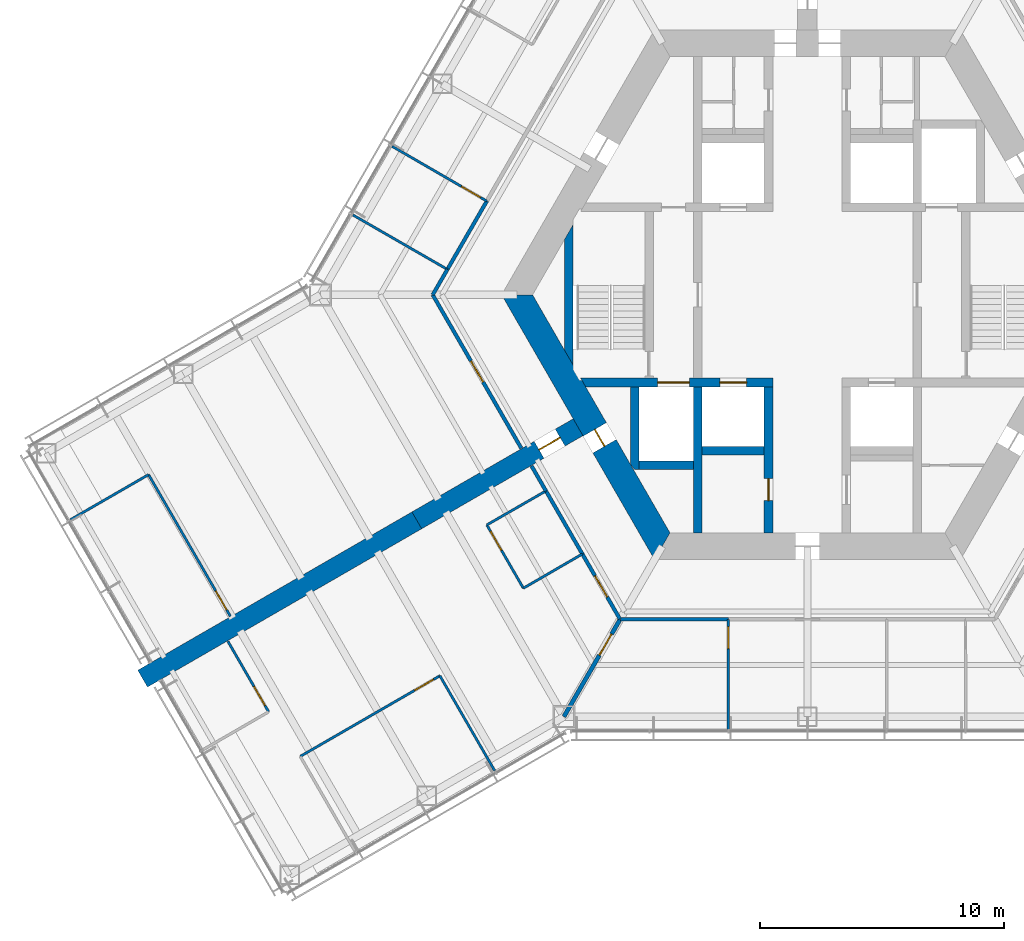
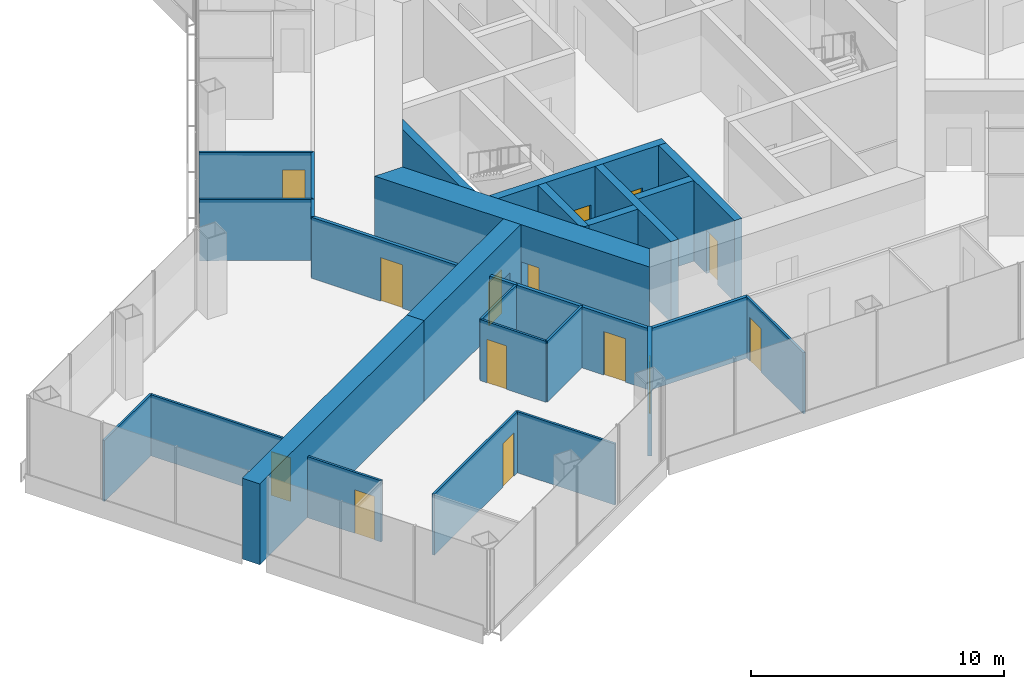
# One storey, part 12 of 19: 29 walls, 14 doors, 14 openings.
"""IFC4 building model written with IfcOpenShell, lengths in metres."""

from ifc_helpers import new_model, si_unit, direction, frame, frame_2d, origin, place, context, subcontext, project, spatial, polyline, rectangle, outline, extrude, material, layer, layer_set, type_object, element, fill, save


model = new_model("IFC4")

# Units and contexts
model_context = context("Model", 3, precision=1e-05, world=origin(), true_north=direction((0.0, 1.0)))
body_context = subcontext(model_context, "Body", "Model", "MODEL_VIEW")
ifc_project = project(units=[si_unit("LENGTHUNIT", "METRE"), si_unit("AREAUNIT", "SQUARE_METRE"), si_unit("VOLUMEUNIT", "CUBIC_METRE"), si_unit("PLANEANGLEUNIT", "RADIAN"), si_unit("MASSUNIT", "GRAM", prefix="KILO")], contexts=[model_context])

# Site, building, storey
site_placement = place(None, origin())
site = spatial("IfcSite", under=ifc_project, at=site_placement, CompositionType="ELEMENT")
building_placement = place(site_placement, origin())
building = spatial("IfcBuilding", under=site, at=building_placement, Name="Kasaneha Research Tower", CompositionType="ELEMENT")
storey_placement = place(building_placement, frame((0.0, 0.0, 92.39990234375)))
storey = spatial("IfcBuildingStorey", under=building, at=storey_placement, Name="L23", CompositionType="ELEMENT", Elevation=92.39990234375)

# Wall, openings, doors
ifc_material_1 = material(Name="Concrete Fc80", Category="concrete")
ifc_layer_1 = layer(ifc_material_1, 0.35009765625)
ifc_layer_set_1 = layer_set([ifc_layer_1], Name="Core internal wall 350 Fc80")
wall_type_1 = type_object("IfcWallType", Name="Core internal wall 350 Fc80", PredefinedType="SHEAR", material=ifc_layer_set_1)
wall_1_placement = place(storey_placement, frame((-9.208740234375, -3.60009765625, 0.0), z_axis=(0.0, 0.0, 1.0), x_axis=(1.0, 0.0, 0.0)))
wall_1 = element("IfcWall", 1, at=wall_1_placement, inside=storey, type_object=wall_type_1, Name="Core wall W2W L23", PredefinedType="SHEAR", context=body_context, shape_type="SweptSolid", body=[
    extrude(outline(polyline([(0.10107421875, -0.175048828125), (3.058837890625, -0.175048828125), (4.35888671875, -0.175048828125), (5.608642578125, -0.175048828125), (6.708740234375, -0.175048828125), (7.78369140625, -0.175048828125), (7.78369140625, 0.175048828125), (6.708740234375, 0.175048828125), (5.608642578125, 0.175048828125), (4.35888671875, 0.175048828125), (3.058837890625, 0.175048828125), (-0.10107421875, 0.175048828125), (0.10107421875, -0.175048828125)])), origin(), (0.0, 0.0, 1.0), 3.900146484375),
])
opening_1_placement = place(wall_1_placement, frame((5.608642578125, 0.0, 0.0)))
opening_1 = element("IfcOpeningElement", 2, at=opening_1_placement, cuts=wall_1, Name="Opening LD-LO2-L23", PredefinedType="OPENING", context=body_context, shape_type="SweptSolid", body=[
    extrude(rectangle(XDim=1.10009765625, YDim=2.10009765625, at=frame_2d((0.550048828125, 1.050048828125))), frame((0.0, 0.18505859375, 0.0), z_axis=(0.0, -1.0, 0.0), x_axis=(1.0, 0.0, 0.0)), (0.0, 0.0, 1.0), 0.3701171875),
])
opening_2_placement = place(wall_1_placement, frame((3.058837890625, 0.0, 0.0)))
opening_2 = element("IfcOpeningElement", 3, at=opening_2_placement, cuts=wall_1, Name="Opening LD-FL2-L23", PredefinedType="OPENING", context=body_context, shape_type="SweptSolid", body=[
    extrude(rectangle(XDim=1.300048828125, YDim=2.10009765625, at=frame_2d((0.64990234375, 1.050048828125))), frame((0.0, 0.18505859375, 0.0), z_axis=(0.0, -1.0, 0.0), x_axis=(1.0, 0.0, 0.0)), (0.0, 0.0, 1.0), 0.3701171875),
])
ifc_material_2 = material(Name="Steel", Category="steel")
door_type_1 = type_object("IfcDoorType", Name="Lift landing door 1100x2100", OperationType="DOUBLE_DOOR_SLIDING", PredefinedType="DOOR", material=ifc_material_2)
door_1_placement = place(opening_1_placement, origin())
door_1 = element("IfcDoor", 4, at=door_1_placement, inside=storey, type_object=door_type_1, Name="Landing door LO2 LD-LO2-L23", OperationType="DOUBLE_DOOR_SLIDING", OverallHeight=2.10009765625, OverallWidth=1.10009765625, PredefinedType="DOOR", context=body_context, shape_type="SweptSolid", body=[
    extrude(rectangle(XDim=1.10009765625, YDim=2.10009765625, at=frame_2d((0.550048828125, 1.050048828125))), frame((0.0, 0.02490234375, 0.0), z_axis=(0.0, -1.0, 0.0), x_axis=(1.0, 0.0, 0.0)), (0.0, 0.0, 1.0), 0.050048828125),
])
fill(opening_1, door_1)
ifc_material_3 = material(Name="Steel", Category="steel")
door_type_2 = type_object("IfcDoorType", Name="Lift landing door 1300x2100", OperationType="DOUBLE_DOOR_SLIDING", PredefinedType="DOOR", material=ifc_material_3)
door_2_placement = place(opening_2_placement, origin())
door_2 = element("IfcDoor", 5, at=door_2_placement, inside=storey, type_object=door_type_2, Name="Landing door FL2 LD-FL2-L23", OperationType="DOUBLE_DOOR_SLIDING", OverallHeight=2.10009765625, OverallWidth=1.300048828125, PredefinedType="DOOR", context=body_context, shape_type="SweptSolid", body=[
    extrude(rectangle(XDim=1.300048828125, YDim=2.10009765625, at=frame_2d((0.64990234375, 1.050048828125))), frame((0.0, 0.02490234375, 0.0), z_axis=(0.0, -1.0, 0.0), x_axis=(1.0, 0.0, 0.0)), (0.0, 0.0, 1.0), 0.050048828125),
])
fill(opening_2, door_2)

# Wall, opening, door
wall_2_placement = place(storey_placement, frame((-1.60009765625, -3.77490234375, 0.0), z_axis=(0.0, 0.0, 1.0), x_axis=(0.0, -1.0, 0.0)))
wall_2 = element("IfcWall", 6, at=wall_2_placement, inside=storey, type_object=wall_type_1, Name="Core wall CSW L23", PredefinedType="SHEAR", context=body_context, shape_type="SweptSolid", body=[
    extrude(rectangle(XDim=6.0, YDim=0.35009765625, at=frame_2d((3.0, 0.0))), origin(), (0.0, 0.0, 1.0), 3.900146484375),
])
opening_3_placement = place(wall_2_placement, frame((3.77490234375, 0.0, 0.0)))
opening_3 = element("IfcOpeningElement", 7, at=opening_3_placement, cuts=wall_2, Name="Opening L23-D16", PredefinedType="OPENING", context=body_context, shape_type="SweptSolid", body=[
    extrude(rectangle(XDim=0.89990234375, YDim=2.10009765625, at=frame_2d((0.449951171875, 1.050048828125))), frame((0.0, 0.18505859375, 0.0), z_axis=(0.0, -1.0, 0.0), x_axis=(1.0, 0.0, 0.0)), (0.0, 0.0, 1.0), 0.3701171875),
])
ifc_material_4 = material(Name="Steel", Category="steel")
door_type_3 = type_object("IfcDoorType", Name="Riser access door FD60 900x2100", OperationType="NOTDEFINED", PredefinedType="DOOR", material=ifc_material_4)
door_3_placement = place(opening_3_placement, origin())
door_3 = element("IfcDoor", 8, at=door_3_placement, inside=storey, type_object=door_type_3, Name="Electrical riser door L23-D16", OperationType="SINGLE_SWING_LEFT", OverallHeight=2.10009765625, OverallWidth=0.89990234375, PredefinedType="DOOR", context=body_context, shape_type="SweptSolid", body=[
    extrude(rectangle(XDim=0.89990234375, YDim=2.10009765625, at=frame_2d((0.449951171875, 1.050048828125))), frame((0.0, 0.02490234375, 0.0), z_axis=(0.0, -1.0, 0.0), x_axis=(1.0, 0.0, 0.0)), (0.0, 0.0, 1.0), 0.050048828125),
])
fill(opening_3, door_3)

# Walls
wall_3_placement = place(storey_placement, frame((-4.5, -3.77490234375, 0.0), z_axis=(0.0, 0.0, 1.0), x_axis=(0.0, -1.0, 0.0)))
element("IfcWall", 9, at=wall_3_placement, inside=storey, type_object=wall_type_1, Name="Core wall SSW L23", PredefinedType="SHEAR", context=body_context, shape_type="SweptSolid", body=[
    extrude(rectangle(XDim=6.0, YDim=0.35009765625, at=frame_2d((3.0, 0.0))), origin(), (0.0, 0.0, 1.0), 3.900146484375),
])
wall_4_placement = place(storey_placement, frame((-4.324951171875, -6.39990234375, 0.0), z_axis=(0.0, 0.0, 1.0), x_axis=(1.0, 0.0, 0.0)))
element("IfcWall", 10, at=wall_4_placement, inside=storey, type_object=wall_type_1, Name="Core wall S1S L23", PredefinedType="SHEAR", context=body_context, shape_type="SweptSolid", body=[
    extrude(rectangle(XDim=2.550048828125, YDim=0.35009765625, at=frame_2d((1.27490234375, 0.0))), origin(), (0.0, 0.0, 1.0), 3.900146484375),
])
wall_5_placement = place(storey_placement, frame((-6.925048828125, -7.0, 0.0), z_axis=(0.0, 0.0, 1.0), x_axis=(1.0, 0.0, 0.0)))
element("IfcWall", 11, at=wall_5_placement, inside=storey, type_object=wall_type_1, Name="Core wall F2S L23", PredefinedType="SHEAR", context=body_context, shape_type="SweptSolid", body=[
    extrude(rectangle(XDim=2.25, YDim=0.35009765625, at=frame_2d((1.125, 0.0))), origin(), (0.0, 0.0, 1.0), 3.900146484375),
])
wall_6_placement = place(storey_placement, frame((-7.10009765625, -3.77490234375, 0.0), z_axis=(0.0, 0.0, 1.0), x_axis=(0.0, -1.0, 0.0)))
element("IfcWall", 12, at=wall_6_placement, inside=storey, type_object=wall_type_1, Name="Core wall F2W L23", PredefinedType="SHEAR", context=body_context, shape_type="SweptSolid", body=[
    extrude(outline(polyline([(0.0, -0.175048828125), (3.174560546875, -0.175048828125), (3.400146484375, 0.0), (3.400146484375, 0.175048828125), (0.0, 0.175048828125), (0.0, -0.175048828125)])), origin(), (0.0, 0.0, 1.0), 3.900146484375),
])
wall_7_placement = place(storey_placement, frame((-9.807861328125, -2.562255859375, 0.0), z_axis=(0.0, 0.0, 1.0), x_axis=(0.0, 1.0, 0.0)))
element("IfcWall", 13, at=wall_7_placement, inside=storey, type_object=wall_type_1, Name="Core wall STW L23", PredefinedType="SHEAR", context=body_context, shape_type="SweptSolid", body=[
    extrude(outline(polyline([(-0.30322265625, -0.175048828125), (5.427734375, -0.175048828125), (4.8212890625, 0.175048828125), (0.30322265625, 0.175048828125), (-0.30322265625, -0.175048828125)])), origin(), (0.0, 0.0, 1.0), 3.900146484375),
])

# Wall, opening, door
ifc_material_5 = material(Name="Concrete Fc80", Category="concrete")
ifc_layer_2 = layer(ifc_material_5, 1.10009765625)
ifc_layer_set_2 = layer_set([ifc_layer_2], Name="Core wall 1100 Fc80")
wall_type_2 = type_object("IfcWallType", Name="Core wall 1100 Fc80", PredefinedType="SHEAR", material=ifc_layer_set_2)
wall_8_placement = place(storey_placement, frame((-11.92236328125, 0.0, 0.0), z_axis=(0.0, 0.0, 1.0), x_axis=(0.500004296715, -0.866022923061, 0.0)))
wall_8 = element("IfcWall", 14, at=wall_8_placement, inside=storey, type_object=wall_type_2, Name="Core wall 210 L23", PredefinedType="SHEAR", context=body_context, shape_type="SweptSolid", body=[
    extrude(outline(polyline([(-0.317626953125, -0.550048828125), (6.381103515625, -0.550048828125), (7.18115234375, -0.550048828125), (12.239990234375, -0.550048828125), (11.604736328125, 0.550048828125), (7.18115234375, 0.550048828125), (6.381103515625, 0.550048828125), (0.317626953125, 0.550048828125), (-0.317626953125, -0.550048828125)])), origin(), (0.0, 0.0, 1.0), 3.900146484375),
])
opening_4_placement = place(wall_8_placement, frame((6.381103515625, 0.0, 0.0)))
opening_4 = element("IfcOpeningElement", 15, at=opening_4_placement, cuts=wall_8, Name="Opening L23-D06", PredefinedType="OPENING", context=body_context, shape_type="SweptSolid", body=[
    extrude(rectangle(XDim=0.800048828125, YDim=2.10009765625, at=frame_2d((0.39990234375, 1.050048828125))), frame((0.0, 0.56005859375, 0.0), z_axis=(0.0, -1.0, 0.0), x_axis=(1.0, 0.0, 0.0)), (0.0, 0.0, 1.0), 1.1201171875),
])
ifc_material_6 = material(Name="Steel", Category="steel")
door_type_4 = type_object("IfcDoorType", Name="Riser access door FD60 800x2100", OperationType="NOTDEFINED", PredefinedType="DOOR", material=ifc_material_6)
door_4_placement = place(opening_4_placement, origin())
door_4 = element("IfcDoor", 16, at=door_4_placement, inside=storey, type_object=door_type_4, Name="Duct riser door L23-D06", OperationType="SINGLE_SWING_RIGHT", OverallHeight=2.10009765625, OverallWidth=0.800048828125, PredefinedType="DOOR", context=body_context, shape_type="SweptSolid", body=[
    extrude(rectangle(XDim=0.800048828125, YDim=2.10009765625, at=frame_2d((0.39990234375, 1.050048828125))), frame((0.0, 0.02490234375, 0.0), z_axis=(0.0, -1.0, 0.0), x_axis=(1.0, 0.0, 0.0)), (0.0, 0.0, 1.0), 0.050048828125),
])
fill(opening_4, door_4)

# Wall
ifc_material_7 = material(Name="Gypsum board on steel studs, one layer each side", Category="steel")
ifc_layer_3 = layer(ifc_material_7, 0.10009765625)
ifc_layer_set_3 = layer_set([ifc_layer_3], Name="Office partition 100")
wall_type_3 = type_object("IfcWallType", Name="Office partition 100", PredefinedType="PARTITIONING", material=ifc_layer_set_3)
wall_9_placement = place(storey_placement, frame((-30.258056640625, -9.232666015625, 0.0), z_axis=(0.0, 0.0, 1.0), x_axis=(0.86601746898, 0.500013743233, 0.0)))
element("IfcWall", 17, at=wall_9_placement, inside=storey, type_object=wall_type_3, Name="Office partition FBN09 L23", PredefinedType="PARTITIONING", context=body_context, shape_type="SweptSolid", body=[
    extrude(rectangle(XDim=3.7001953125, YDim=0.10009765625, at=frame_2d((1.85009765625, 0.0))), origin(), (0.0, 0.0, 1.0), 2.9501953125),
])

# Wall, opening, door
wall_10_placement = place(storey_placement, frame((-27.0537109375, -7.382568359375, 0.0), z_axis=(0.0, 0.0, 1.0), x_axis=(0.499999473313, -0.866025707867, 0.0)))
wall_10 = element("IfcWall", 18, at=wall_10_placement, inside=storey, type_object=wall_type_3, Name="Office partition FBN10 L23", PredefinedType="PARTITIONING", context=body_context, shape_type="SweptSolid", body=[
    extrude(rectangle(XDim=6.71337890625, YDim=0.10009765625, at=frame_2d((3.356689453125, 0.0))), origin(), (0.0, 0.0, 1.0), 2.9501953125),
])
opening_5_placement = place(wall_10_placement, frame((5.513427734375, 0.0, 0.0)))
opening_5 = element("IfcOpeningElement", 19, at=opening_5_placement, cuts=wall_10, Name="Opening L23-D42", PredefinedType="OPENING", context=body_context, shape_type="SweptSolid", body=[
    extrude(rectangle(XDim=0.89990234375, YDim=2.10009765625, at=frame_2d((0.449951171875, 1.050048828125))), frame((0.0, 0.06005859375, 0.0), z_axis=(0.0, -1.0, 0.0), x_axis=(1.0, 0.0, 0.0)), (0.0, 0.0, 1.0), 0.1201171875),
])
ifc_material_8 = material(Name="Timber veneer", Category="wood")
door_type_5 = type_object("IfcDoorType", Name="Office door 900x2100", OperationType="SINGLE_SWING_LEFT", PredefinedType="DOOR", material=ifc_material_8)
door_5_placement = place(opening_5_placement, origin())
door_5 = element("IfcDoor", 20, at=door_5_placement, inside=storey, type_object=door_type_5, Name="Meeting room door L23-D42", OperationType="SINGLE_SWING_RIGHT", OverallHeight=2.10009765625, OverallWidth=0.89990234375, PredefinedType="DOOR", context=body_context, shape_type="SweptSolid", body=[
    extrude(rectangle(XDim=0.89990234375, YDim=2.10009765625, at=frame_2d((0.449951171875, 1.050048828125))), frame((0.0, 0.02490234375, 0.0), z_axis=(0.0, -1.0, 0.0), x_axis=(1.0, 0.0, 0.0)), (0.0, 0.0, 1.0), 0.050048828125),
])
fill(opening_5, door_5)

# Wall
wall_11_placement = place(storey_placement, frame((-14.783935546875, 1.04345703125, 0.0), z_axis=(0.0, 0.0, 1.0), x_axis=(-0.866525943689, 0.499132035552, 0.0)))
element("IfcWall", 21, at=wall_11_placement, inside=storey, type_object=wall_type_3, Name="Office partition FBN11 L23", PredefinedType="PARTITIONING", context=body_context, shape_type="SweptSolid", body=[
    extrude(rectangle(XDim=4.4755859375, YDim=0.10009765625, at=frame_2d((2.23779296875, 0.0))), origin(), (0.0, 0.0, 1.0), 2.9501953125),
])

# Wall, opening, door
wall_12_placement = place(storey_placement, frame((-17.05615234375, 6.098876953125, 0.0), z_axis=(0.0, 0.0, 1.0), x_axis=(0.865513030745, -0.500886407891, 0.0)))
wall_12 = element("IfcWall", 22, at=wall_12_placement, inside=storey, type_object=wall_type_3, Name="Office partition FBN12 L23", PredefinedType="PARTITIONING", context=body_context, shape_type="SweptSolid", body=[
    extrude(rectangle(XDim=4.495361328125, YDim=0.10009765625, at=frame_2d((2.24755859375, 0.0))), origin(), (0.0, 0.0, 1.0), 2.9501953125),
])
opening_6_placement = place(wall_12_placement, frame((3.295654296875, 0.0, 0.0)))
opening_6 = element("IfcOpeningElement", 23, at=opening_6_placement, cuts=wall_12, Name="Opening L23-D43", PredefinedType="OPENING", context=body_context, shape_type="SweptSolid", body=[
    extrude(rectangle(XDim=0.89990234375, YDim=2.10009765625, at=frame_2d((0.449951171875, 1.050048828125))), frame((0.0, 0.06005859375, 0.0), z_axis=(0.0, -1.0, 0.0), x_axis=(1.0, 0.0, 0.0)), (0.0, 0.0, 1.0), 0.1201171875),
])
door_6_placement = place(opening_6_placement, origin())
door_6 = element("IfcDoor", 24, at=door_6_placement, inside=storey, type_object=door_type_5, Name="Project room door L23-D43", OperationType="SINGLE_SWING_RIGHT", OverallHeight=2.10009765625, OverallWidth=0.89990234375, PredefinedType="DOOR", context=body_context, shape_type="SweptSolid", body=[
    extrude(rectangle(XDim=0.89990234375, YDim=2.10009765625, at=frame_2d((0.449951171875, 1.050048828125))), frame((0.0, 0.02490234375, 0.0), z_axis=(0.0, -1.0, 0.0), x_axis=(1.0, 0.0, 0.0)), (0.0, 0.0, 1.0), 0.050048828125),
])
fill(opening_6, door_6)

wall_13_placement = place(storey_placement, frame((-20.824951171875, -18.951416015625, 0.0), z_axis=(0.0, 0.0, 1.0), x_axis=(0.866021597574, 0.500006592492, 0.0)))
wall_13 = element("IfcWall", 25, at=wall_13_placement, inside=storey, type_object=wall_type_3, Name="Office partition FBS04 L23", PredefinedType="PARTITIONING", context=body_context, shape_type="SweptSolid", body=[
    extrude(rectangle(XDim=6.61962890625, YDim=0.10009765625, at=frame_2d((3.309814453125, 0.0))), origin(), (0.0, 0.0, 1.0), 2.9501953125),
])
opening_7_placement = place(wall_13_placement, frame((5.419677734375, 0.0, 0.0)))
opening_7 = element("IfcOpeningElement", 26, at=opening_7_placement, cuts=wall_13, Name="Opening L23-D46", PredefinedType="OPENING", context=body_context, shape_type="SweptSolid", body=[
    extrude(rectangle(XDim=0.89990234375, YDim=2.10009765625, at=frame_2d((0.449951171875, 1.050048828125))), frame((0.0, 0.06005859375, 0.0), z_axis=(0.0, -1.0, 0.0), x_axis=(1.0, 0.0, 0.0)), (0.0, 0.0, 1.0), 0.1201171875),
])
door_7_placement = place(opening_7_placement, origin())
door_7 = element("IfcDoor", 27, at=door_7_placement, inside=storey, type_object=door_type_5, Name="Project room door L23-D46", OperationType="SINGLE_SWING_RIGHT", OverallHeight=2.10009765625, OverallWidth=0.89990234375, PredefinedType="DOOR", context=body_context, shape_type="SweptSolid", body=[
    extrude(rectangle(XDim=0.89990234375, YDim=2.10009765625, at=frame_2d((0.449951171875, 1.050048828125))), frame((0.0, 0.02490234375, 0.0), z_axis=(0.0, -1.0, 0.0), x_axis=(1.0, 0.0, 0.0)), (0.0, 0.0, 1.0), 0.050048828125),
])
fill(opening_7, door_7)

# Walls
wall_14_placement = place(storey_placement, frame((-15.09228515625, -15.6416015625, 0.0), z_axis=(0.0, 0.0, 1.0), x_axis=(0.499990139034, -0.866031096941, 0.0)))
element("IfcWall", 28, at=wall_14_placement, inside=storey, type_object=wall_type_3, Name="Office partition FBS06 L23", PredefinedType="PARTITIONING", context=body_context, shape_type="SweptSolid", body=[
    extrude(rectangle(XDim=4.5, YDim=0.10009765625, at=frame_2d((2.25, 0.0))), origin(), (0.0, 0.0, 1.0), 2.9501953125),
])
wall_15_placement = place(storey_placement, frame((-13.164794921875, -9.447998046875, 0.0), z_axis=(0.0, 0.0, 1.0), x_axis=(0.866855433567, 0.498559582492, 0.0)))
element("IfcWall", 29, at=wall_15_placement, inside=storey, type_object=wall_type_3, Name="Office partition FBS07 L23", PredefinedType="PARTITIONING", context=body_context, shape_type="SweptSolid", body=[
    extrude(rectangle(XDim=2.800048828125, YDim=0.10009765625, at=frame_2d((1.39990234375, 0.0))), origin(), (0.0, 0.0, 1.0), 2.9501953125),
])

# Wall, opening, door
wall_16_placement = place(storey_placement, frame((-11.664794921875, -12.046142578125, 0.0), z_axis=(0.0, 0.0, 1.0), x_axis=(-0.499990139034, 0.866031096941, 0.0)))
wall_16 = element("IfcWall", 30, at=wall_16_placement, inside=storey, type_object=wall_type_3, Name="Office partition FBS08 L23", PredefinedType="PARTITIONING", context=body_context, shape_type="SweptSolid", body=[
    extrude(rectangle(XDim=3.0, YDim=0.10009765625, at=frame_2d((1.5, 0.0))), origin(), (0.0, 0.0, 1.0), 2.9501953125),
])
opening_8_placement = place(wall_16_placement, frame((1.800048828125, 0.0, 0.0)))
opening_8 = element("IfcOpeningElement", 31, at=opening_8_placement, cuts=wall_16, Name="Opening L23-D47", PredefinedType="OPENING", context=body_context, shape_type="SweptSolid", body=[
    extrude(rectangle(XDim=0.89990234375, YDim=2.10009765625, at=frame_2d((0.449951171875, 1.050048828125))), frame((0.0, 0.06005859375, 0.0), z_axis=(0.0, -1.0, 0.0), x_axis=(1.0, 0.0, 0.0)), (0.0, 0.0, 1.0), 0.1201171875),
])
door_8_placement = place(opening_8_placement, origin())
door_8 = element("IfcDoor", 32, at=door_8_placement, inside=storey, type_object=door_type_5, Name="Pantry door L23-D47", OperationType="SINGLE_SWING_RIGHT", OverallHeight=2.10009765625, OverallWidth=0.89990234375, PredefinedType="DOOR", context=body_context, shape_type="SweptSolid", body=[
    extrude(rectangle(XDim=0.89990234375, YDim=2.10009765625, at=frame_2d((0.449951171875, 1.050048828125))), frame((0.0, 0.02490234375, 0.0), z_axis=(0.0, -1.0, 0.0), x_axis=(1.0, 0.0, 0.0)), (0.0, 0.0, 1.0), 0.050048828125),
])
fill(opening_8, door_8)

# Wall
wall_17_placement = place(storey_placement, frame((-9.241943359375, -10.642333984375, 0.0), z_axis=(0.0, 0.0, 1.0), x_axis=(-0.865255114713, -0.501331812737, 0.0)))
element("IfcWall", 33, at=wall_17_placement, inside=storey, type_object=wall_type_3, Name="Office partition FBS09 L23", PredefinedType="PARTITIONING", context=body_context, shape_type="SweptSolid", body=[
    extrude(rectangle(XDim=2.800048828125, YDim=0.10009765625, at=frame_2d((1.39990234375, 0.0))), origin(), (0.0, 0.0, 1.0), 2.9501953125),
])

# Wall, opening, door
wall_18_placement = place(storey_placement, frame((-23.796630859375, -14.22412109375, 0.0), z_axis=(0.0, 0.0, 1.0), x_axis=(0.500015043844, -0.866016718043, 0.0)))
wall_18 = element("IfcWall", 34, at=wall_18_placement, inside=storey, type_object=wall_type_3, Name="Office partition FBS10 L23", PredefinedType="PARTITIONING", context=body_context, shape_type="SweptSolid", body=[
    extrude(rectangle(XDim=3.3466796875, YDim=0.10009765625, at=frame_2d((1.67333984375, 0.0))), origin(), (0.0, 0.0, 1.0), 2.9501953125),
])
opening_9_placement = place(wall_18_placement, frame((2.146728515625, 0.0, 0.0)))
opening_9 = element("IfcOpeningElement", 35, at=opening_9_placement, cuts=wall_18, Name="Opening L23-D48", PredefinedType="OPENING", context=body_context, shape_type="SweptSolid", body=[
    extrude(rectangle(XDim=0.89990234375, YDim=2.10009765625, at=frame_2d((0.449951171875, 1.050048828125))), frame((0.0, 0.06005859375, 0.0), z_axis=(0.0, -1.0, 0.0), x_axis=(1.0, 0.0, 0.0)), (0.0, 0.0, 1.0), 0.1201171875),
])
door_9_placement = place(opening_9_placement, origin())
door_9 = element("IfcDoor", 36, at=door_9_placement, inside=storey, type_object=door_type_5, Name="Phone room door L23-D48", OperationType="SINGLE_SWING_RIGHT", OverallHeight=2.10009765625, OverallWidth=0.89990234375, PredefinedType="DOOR", context=body_context, shape_type="SweptSolid", body=[
    extrude(rectangle(XDim=0.89990234375, YDim=2.10009765625, at=frame_2d((0.449951171875, 1.050048828125))), frame((0.0, 0.02490234375, 0.0), z_axis=(0.0, -1.0, 0.0), x_axis=(1.0, 0.0, 0.0)), (0.0, 0.0, 1.0), 0.050048828125),
])
fill(opening_9, door_9)

wall_19_placement = place(storey_placement, frame((-3.2509765625, -13.324951171875, 0.0), z_axis=(0.0, 0.0, 1.0), x_axis=(0.001026139015, -0.999999473519, 0.0)))
wall_19 = element("IfcWall", 37, at=wall_19_placement, inside=storey, type_object=wall_type_3, Name="Office partition FCS11 L23", PredefinedType="PARTITIONING", context=body_context, shape_type="SweptSolid", body=[
    extrude(rectangle(XDim=4.5205078125, YDim=0.10009765625, at=frame_2d((2.26025390625, 0.0))), origin(), (0.0, 0.0, 1.0), 2.9501953125),
])
opening_10_placement = place(wall_19_placement, frame((0.300048828125, 0.0, 0.0)))
opening_10 = element("IfcOpeningElement", 38, at=opening_10_placement, cuts=wall_19, Name="Opening L23-D54", PredefinedType="OPENING", context=body_context, shape_type="SweptSolid", body=[
    extrude(rectangle(XDim=0.89990234375, YDim=2.10009765625, at=frame_2d((0.449951171875, 1.050048828125))), frame((0.0, 0.06005859375, 0.0), z_axis=(0.0, -1.0, 0.0), x_axis=(1.0, 0.0, 0.0)), (0.0, 0.0, 1.0), 0.1201171875),
])
door_10_placement = place(opening_10_placement, origin())
door_10 = element("IfcDoor", 39, at=door_10_placement, inside=storey, type_object=door_type_5, Name="Manager's office door L23-D54", OperationType="SINGLE_SWING_LEFT", OverallHeight=2.10009765625, OverallWidth=0.89990234375, PredefinedType="DOOR", context=body_context, shape_type="SweptSolid", body=[
    extrude(rectangle(XDim=0.89990234375, YDim=2.10009765625, at=frame_2d((0.449951171875, 1.050048828125))), frame((0.0, 0.02490234375, 0.0), z_axis=(0.0, -1.0, 0.0), x_axis=(1.0, 0.0, 0.0)), (0.0, 0.0, 1.0), 0.050048828125),
])
fill(opening_10, door_10)

ifc_material_9 = material(Name="Concrete Fc80", Category="concrete")
ifc_layer_4 = layer(ifc_material_9, 0.800048828125)
ifc_layer_set_4 = layer_set([ifc_layer_4], Name="Spine wall 800 Fc80")
wall_type_4 = type_object("IfcWallType", Name="Spine wall 800 Fc80", PredefinedType="SHEAR", material=ifc_layer_set_4)
wall_20_placement = place(storey_placement, frame((-9.41796875, -5.4375, 0.0), z_axis=(0.0, 0.0, 1.0), x_axis=(-0.866029782078, -0.499992416496, 0.0)))
wall_20 = element("IfcWall", 40, at=wall_20_placement, inside=storey, type_object=wall_type_4, Name="Spine wall B L23", PredefinedType="SHEAR", context=body_context, shape_type="SweptSolid", body=[
    extrude(rectangle(XDim=7.6455078125, YDim=0.800048828125, at=frame_2d((3.82275390625, 0.0))), origin(), (0.0, 0.0, 1.0), 3.900146484375),
])
opening_11_placement = place(wall_20_placement, frame((0.85009765625, 0.0, 0.0)))
opening_11 = element("IfcOpeningElement", 41, at=opening_11_placement, cuts=wall_20, Name="Opening L23-D18", PredefinedType="OPENING", context=body_context, shape_type="SweptSolid", body=[
    extrude(rectangle(XDim=1.0, YDim=2.10009765625, at=frame_2d((0.5, 1.050048828125))), frame((0.0, 0.41015625, 0.0), z_axis=(0.0, -1.0, 0.0), x_axis=(1.0, 0.0, 0.0)), (0.0, 0.0, 1.0), 0.820068359375),
])
ifc_material_10 = material(Name="Steel", Category="steel")
door_type_6 = type_object("IfcDoorType", Name="Specified fire door FD60 1000x2100", OperationType="NOTDEFINED", PredefinedType="DOOR", material=ifc_material_10)
door_11_placement = place(opening_11_placement, origin())
door_11 = element("IfcDoor", 42, at=door_11_placement, inside=storey, type_object=door_type_6, Name="Spine doorway B L23-D18", OperationType="SINGLE_SWING_LEFT", OverallHeight=2.10009765625, OverallWidth=1.0, PredefinedType="DOOR", context=body_context, shape_type="SweptSolid", body=[
    extrude(rectangle(XDim=1.0, YDim=2.10009765625, at=frame_2d((0.5, 1.050048828125))), frame((0.0, 0.02490234375, 0.0), z_axis=(0.0, -1.0, 0.0), x_axis=(1.0, 0.0, 0.0)), (0.0, 0.0, 1.0), 0.050048828125),
])
fill(opening_11, door_11)

# Walls
wall_21_placement = place(storey_placement, frame((-16.039306640625, -9.26025390625, 0.0), z_axis=(0.0, 0.0, 1.0), x_axis=(-0.866024837091, -0.50000098154, 0.0)))
element("IfcWall", 43, at=wall_21_placement, inside=storey, type_object=wall_type_4, Name="Spine wall B wing L23", PredefinedType="SHEAR", context=body_context, shape_type="SweptSolid", body=[
    extrude(rectangle(XDim=13.0, YDim=0.800048828125, at=frame_2d((6.5, 0.0))), origin(), (0.0, 0.0, 1.0), 3.900146484375),
])
ifc_material_11 = material(Name="Gypsum board on steel studs, two layers each side", Category="steel")
ifc_layer_5 = layer(ifc_material_11, 0.14990234375)
ifc_layer_set_5 = layer_set([ifc_layer_5], Name="Suite partition 150")
wall_type_5 = type_object("IfcWallType", Name="Suite partition 150", PredefinedType="PARTITIONING", material=ifc_layer_set_5)
wall_22_placement = place(storey_placement, frame((-14.788818359375, 1.03515625, 0.0), z_axis=(0.0, 0.0, 1.0), x_axis=(0.500025283505, 0.866010805854, 0.0)))
element("IfcWall", 44, at=wall_22_placement, inside=storey, type_object=wall_type_5, Name="Suite partition FBN01 L23", PredefinedType="PARTITIONING", context=body_context, shape_type="SweptSolid", body=[
    extrude(rectangle(XDim=3.256591796875, YDim=0.14990234375, at=frame_2d((1.62841796875, 0.0))), origin(), (0.0, 0.0, 1.0), 2.9501953125),
])
wall_23_placement = place(storey_placement, frame((-15.386474609375, 0.0, 0.0), z_axis=(0.0, 0.0, 1.0), x_axis=(0.500061536317, 0.86598987286, 0.0)))
element("IfcWall", 45, at=wall_23_placement, inside=storey, type_object=wall_type_5, Name="Suite partition FBN03 L23", PredefinedType="PARTITIONING", context=body_context, shape_type="SweptSolid", body=[
    extrude(rectangle(XDim=1.204833984375, YDim=0.14990234375, at=frame_2d((0.6025390625, 0.0))), origin(), (0.0, 0.0, 1.0), 2.9501953125),
])

# Wall, opening, door
wall_24_placement = place(storey_placement, frame((-11.749755859375, -6.298828125, 0.0), z_axis=(0.0, 0.0, 1.0), x_axis=(-0.500009139881, 0.866020126807, 0.0)))
wall_24 = element("IfcWall", 46, at=wall_24_placement, inside=storey, type_object=wall_type_5, Name="Suite partition FBN04 L23", PredefinedType="PARTITIONING", context=body_context, shape_type="SweptSolid", body=[
    extrude(rectangle(XDim=7.273193359375, YDim=0.14990234375, at=frame_2d((3.63671875, 0.0))), origin(), (0.0, 0.0, 1.0), 2.9501953125),
])
opening_12_placement = place(wall_24_placement, frame((3.13671875, 0.0, 0.0)))
opening_12 = element("IfcOpeningElement", 47, at=opening_12_placement, cuts=wall_24, Name="Opening L23-D39", PredefinedType="OPENING", context=body_context, shape_type="SweptSolid", body=[
    extrude(rectangle(XDim=1.0, YDim=2.10009765625, at=frame_2d((0.5, 1.050048828125))), frame((0.0, 0.0849609375, 0.0), z_axis=(0.0, -1.0, 0.0), x_axis=(1.0, 0.0, 0.0)), (0.0, 0.0, 1.0), 0.169921875),
])
ifc_material_12 = material(Name="Steel", Category="steel")
door_type_7 = type_object("IfcDoorType", Name="Suite entrance door FD60 1000x2100", OperationType="NOTDEFINED", PredefinedType="DOOR", material=ifc_material_12)
door_12_placement = place(opening_12_placement, origin())
door_12 = element("IfcDoor", 48, at=door_12_placement, inside=storey, type_object=door_type_7, Name="Suite entrance door L23-D39", OperationType="SINGLE_SWING_RIGHT", OverallHeight=2.10009765625, OverallWidth=1.0, PredefinedType="DOOR", context=body_context, shape_type="SweptSolid", body=[
    extrude(rectangle(XDim=1.0, YDim=2.10009765625, at=frame_2d((0.5, 1.050048828125))), frame((0.0, 0.02490234375, 0.0), z_axis=(0.0, -1.0, 0.0), x_axis=(1.0, 0.0, 0.0)), (0.0, 0.0, 1.0), 0.050048828125),
])
fill(opening_12, door_12)

# Walls
wall_25_placement = place(storey_placement, frame((-9.2373046875, -10.650390625, 0.0), z_axis=(0.0, 0.0, 1.0), x_axis=(-0.499977562641, 0.866038357612, 0.0)))
element("IfcWall", 49, at=wall_25_placement, inside=storey, type_object=wall_type_5, Name="Suite partition FBS01 L23", PredefinedType="PARTITIONING", context=body_context, shape_type="SweptSolid", body=[
    extrude(rectangle(XDim=3.010009765625, YDim=0.14990234375, at=frame_2d((1.5048828125, 0.0))), origin(), (0.0, 0.0, 1.0), 2.9501953125),
])
wall_26_placement = place(storey_placement, frame((-10.737548828125, -8.052001953125, 0.0), z_axis=(0.0, 0.0, 1.0), x_axis=(-0.499996007168, 0.866027709035, 0.0)))
element("IfcWall", 50, at=wall_26_placement, inside=storey, type_object=wall_type_5, Name="Suite partition FBS02 L23", PredefinedType="PARTITIONING", context=body_context, shape_type="SweptSolid", body=[
    extrude(rectangle(XDim=1.1845703125, YDim=0.14990234375, at=frame_2d((0.59228515625, 0.0))), origin(), (0.0, 0.0, 1.0), 2.9501953125),
])

# Wall, opening, door
wall_27_placement = place(storey_placement, frame((-7.70458984375, -13.304931640625, 0.0), z_axis=(0.0, 0.0, 1.0), x_axis=(-0.500024891708, 0.866011032073, 0.0)))
wall_27 = element("IfcWall", 51, at=wall_27_placement, inside=storey, type_object=wall_type_5, Name="Suite partition FBS03 L23", PredefinedType="PARTITIONING", context=body_context, shape_type="SweptSolid", body=[
    extrude(rectangle(XDim=3.074462890625, YDim=0.14990234375, at=frame_2d((1.537109375, 0.0))), origin(), (0.0, 0.0, 1.0), 2.9501953125),
])
opening_13_placement = place(wall_27_placement, frame((1.037353515625, 0.0, 0.0)))
opening_13 = element("IfcOpeningElement", 52, at=opening_13_placement, cuts=wall_27, Name="Opening L23-D45", PredefinedType="OPENING", context=body_context, shape_type="SweptSolid", body=[
    extrude(rectangle(XDim=1.0, YDim=2.10009765625, at=frame_2d((0.5, 1.050048828125))), frame((0.0, 0.0849609375, 0.0), z_axis=(0.0, -1.0, 0.0), x_axis=(1.0, 0.0, 0.0)), (0.0, 0.0, 1.0), 0.169921875),
])
door_13_placement = place(opening_13_placement, origin())
door_13 = element("IfcDoor", 53, at=door_13_placement, inside=storey, type_object=door_type_7, Name="Suite entrance door L23-D45", OperationType="SINGLE_SWING_RIGHT", OverallHeight=2.10009765625, OverallWidth=1.0, PredefinedType="DOOR", context=body_context, shape_type="SweptSolid", body=[
    extrude(rectangle(XDim=1.0, YDim=2.10009765625, at=frame_2d((0.5, 1.050048828125))), frame((0.0, 0.02490234375, 0.0), z_axis=(0.0, -1.0, 0.0), x_axis=(1.0, 0.0, 0.0)), (0.0, 0.0, 1.0), 0.050048828125),
])
fill(opening_13, door_13)

# Wall
wall_28_placement = place(storey_placement, frame((-3.241455078125, -13.324951171875, 0.0), z_axis=(0.0, 0.0, 1.0), x_axis=(-1.0, 0.0, 0.0)))
element("IfcWall", 54, at=wall_28_placement, inside=storey, type_object=wall_type_5, Name="Suite partition FCS02 L23", PredefinedType="PARTITIONING", context=body_context, shape_type="SweptSolid", body=[
    extrude(rectangle(XDim=4.4287109375, YDim=0.14990234375, at=frame_2d((2.21435546875, 0.0))), origin(), (0.0, 0.0, 1.0), 2.9501953125),
])

# Wall, opening, door
ifc_material_13 = material(Name="Gypsum board on steel studs, two layers each side", Category="steel")
ifc_layer_6 = layer(ifc_material_13, 0.175048828125)
ifc_layer_set_6 = layer_set([ifc_layer_6], Name="Tenancy fire partition 175")
wall_type_6 = type_object("IfcWallType", Name="Tenancy fire partition 175", PredefinedType="PARTITIONING", material=ifc_layer_set_6)
wall_29_placement = place(storey_placement, frame((-7.693115234375, -13.324951171875, 0.0), z_axis=(0.0, 0.0, 1.0), x_axis=(-0.500003393015, -0.866023444818, 0.0)))
wall_29 = element("IfcWall", 55, at=wall_29_placement, inside=storey, type_object=wall_type_6, Name="Tenancy fire partition T240 L23", PredefinedType="PARTITIONING", context=body_context, shape_type="SweptSolid", body=[
    extrude(rectangle(XDim=4.61376953125, YDim=0.175048828125, at=frame_2d((2.306884765625, 0.0))), origin(), (0.0, 0.0, 1.0), 3.050048828125),
])
opening_14_placement = place(wall_29_placement, frame((0.699951171875, 0.0, 0.0)))
opening_14 = element("IfcOpeningElement", 56, at=opening_14_placement, cuts=wall_29, Name="Opening L23-D27", PredefinedType="OPENING", context=body_context, shape_type="SweptSolid", body=[
    extrude(rectangle(XDim=1.0, YDim=2.10009765625, at=frame_2d((0.5, 1.050048828125))), frame((0.0, 0.09765625, 0.0), z_axis=(0.0, -1.0, 0.0), x_axis=(1.0, 0.0, 0.0)), (0.0, 0.0, 1.0), 0.195068359375),
])
door_14_placement = place(opening_14_placement, origin())
door_14 = element("IfcDoor", 57, at=door_14_placement, inside=storey, type_object=door_type_7, Name="Connecting door L23-D27", OperationType="SINGLE_SWING_LEFT", OverallHeight=2.10009765625, OverallWidth=1.0, PredefinedType="DOOR", context=body_context, shape_type="SweptSolid", body=[
    extrude(rectangle(XDim=1.0, YDim=2.10009765625, at=frame_2d((0.5, 1.050048828125))), frame((0.0, 0.02490234375, 0.0), z_axis=(0.0, -1.0, 0.0), x_axis=(1.0, 0.0, 0.0)), (0.0, 0.0, 1.0), 0.050048828125),
])
fill(opening_14, door_14)

save(model, "model.ifc")
